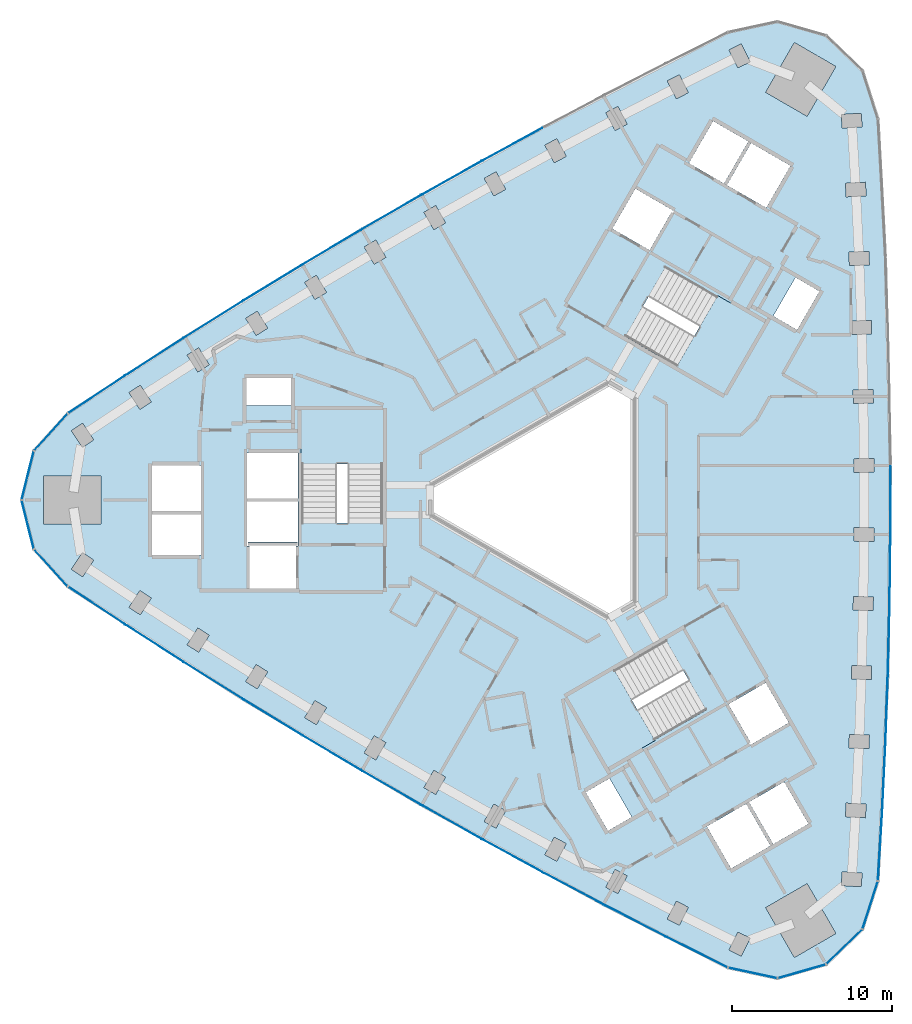
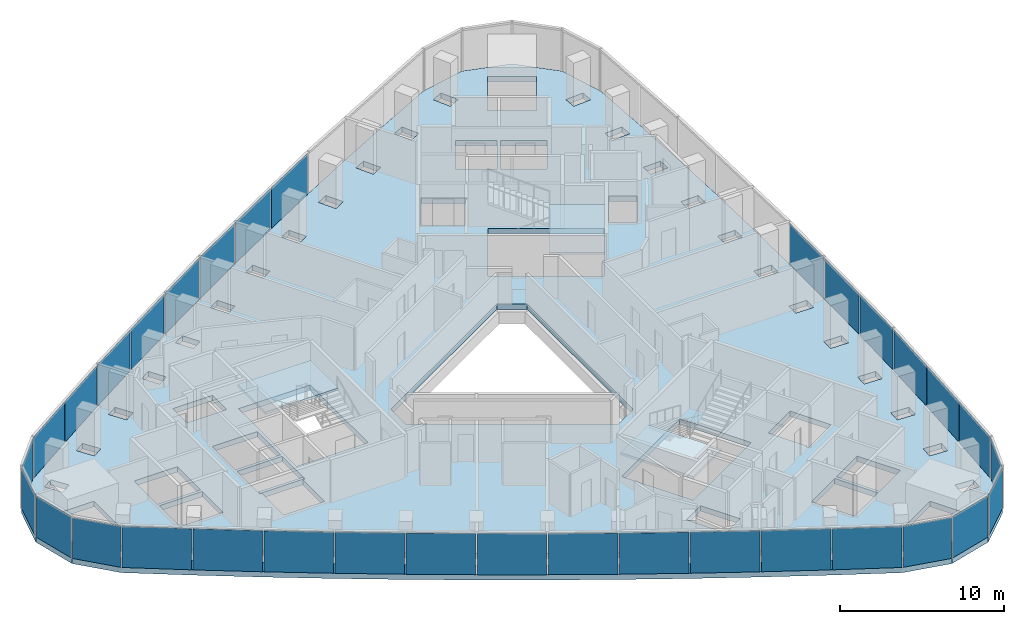
# One storey, part 6 of 13: 33 plates, 4 slabs, 6 elements without a shape of their own.
"""IFC4 building model written with IfcOpenShell, lengths in metres."""

from ifc_helpers import new_model, si_unit, direction, frame, origin, origin_2d, place, context, subcontext, project, spatial, polyline, rectangle, outline, extrude, material, layer, layer_set, type_object, element, aggregate, save


model = new_model("IFC4")

# Units and contexts
model_context = context("Model", 3, precision=1e-05, world=origin(), true_north=direction((0.0, 1.0)))
body_context = subcontext(model_context, "Body", "Model", "MODEL_VIEW")
ifc_project = project(units=[si_unit("LENGTHUNIT", "METRE"), si_unit("AREAUNIT", "SQUARE_METRE"), si_unit("VOLUMEUNIT", "CUBIC_METRE"), si_unit("PLANEANGLEUNIT", "RADIAN"), si_unit("MASSUNIT", "GRAM", prefix="KILO")], contexts=[model_context])

# Site, building, storey
site_placement = place(None, origin())
site = spatial("IfcSite", under=ifc_project, at=site_placement, CompositionType="ELEMENT")
building_placement = place(site_placement, origin())
building = spatial("IfcBuilding", under=site, at=building_placement, Name="Tamra Quay Hotel Tower", CompositionType="ELEMENT")
storey_placement = place(building_placement, frame((0.0, 0.0, 132.39990234375)))
storey = spatial("IfcBuildingStorey", under=building, at=storey_placement, Name="L32", CompositionType="ELEMENT", Elevation=132.39990234375)

# Stair, slab
ifc_material_1 = material(Name="Exit stair 2200 24 risers 150.0 going 342")
stair_type = type_object("IfcStairType", Name="Exit stair 2200 24 risers 150.0 going 342", PredefinedType="HALF_TURN_STAIR", material=ifc_material_1)
stair_1_placement = place(storey_placement, origin())
stair_1 = element("IfcStair", 1, at=stair_1_placement, inside=storey, type_object=stair_type, Name="L32 Exit stair ST3", PredefinedType="HALF_TURN_STAIR")
ifc_material_2 = material(Name="Concrete M70", Category="concrete")
ifc_layer_1 = layer(ifc_material_2, 0.175048828125)
ifc_layer_set_1 = layer_set([ifc_layer_1], Name="Concrete M70 stair landing 180")
slab_type_1 = type_object("IfcSlabType", Name="Concrete M70 stair landing 180", PredefinedType="LANDING", material=ifc_layer_set_1)
slab_1_placement = place(storey_placement, frame((0.0, 0.0, 1.625)))
slab_1 = element("IfcSlab", 2, at=slab_1_placement, type_object=slab_type_1, Name="ST3 landing 1", PredefinedType="LANDING", context=body_context, shape_type="SweptSolid", body=[
    extrude(outline(polyline([(-10.932373046875, 2.261962890625), (-10.932373046875, 5.679931640625), (-16.09130859375, 5.679931640625), (-16.09130859375, 2.261962890625), (-10.932373046875, 2.261962890625)])), origin(), (0.0, 0.0, 1.0), 0.175048828125),
])
aggregate(stair_1, [slab_1])

stair_2_placement = place(storey_placement, origin())
stair_2 = element("IfcStair", 3, at=stair_2_placement, inside=storey, type_object=stair_type, Name="L32 Exit stair ST1", PredefinedType="HALF_TURN_STAIR")
slab_2_placement = place(storey_placement, frame((0.0, 0.0, 1.625)))
slab_2 = element("IfcSlab", 4, at=slab_2_placement, type_object=slab_type_1, Name="ST1 landing 1", PredefinedType="LANDING", context=body_context, shape_type="SweptSolid", body=[
    extrude(outline(polyline([(7.425048828125, 8.336669921875), (10.385009765625, 6.627685546875), (12.964599609375, 11.095458984375), (10.00439453125, 12.804443359375), (7.425048828125, 8.336669921875)])), origin(), (0.0, 0.0, 1.0), 0.175048828125),
])
aggregate(stair_2, [slab_2])

stair_3_placement = place(storey_placement, origin())
stair_3 = element("IfcStair", 5, at=stair_3_placement, inside=storey, type_object=stair_type, Name="L32 Exit stair ST2", PredefinedType="HALF_TURN_STAIR")
slab_3_placement = place(storey_placement, frame((0.0, 0.0, 1.625)))
slab_3 = element("IfcSlab", 6, at=slab_3_placement, type_object=slab_type_1, Name="ST2 landing 1", PredefinedType="LANDING", context=body_context, shape_type="SweptSolid", body=[
    extrude(outline(polyline([(3.50732421875, -10.5986328125), (0.547119140625, -12.3076171875), (3.126708984375, -16.775390625), (6.086669921875, -15.06640625), (3.50732421875, -10.5986328125)])), origin(), (0.0, 0.0, 1.0), 0.175048828125),
])
aggregate(stair_3, [slab_3])

# Slab
ifc_material_3 = material(Name="Concrete M60", Category="concrete")
ifc_layer_2 = layer(ifc_material_3, 0.39990234375)
ifc_layer_set_2 = layer_set([ifc_layer_2], Name="FLOOR SLAB PT 400")
slab_type_2 = type_object("IfcSlabType", Name="FLOOR SLAB PT 400", PredefinedType="FLOOR", material=ifc_layer_set_2)
slab_4_placement = place(storey_placement, frame((0.0, 0.0, -0.39990234375)))
element("IfcSlab", 7, at=slab_4_placement, inside=storey, type_object=slab_type_2, Name="SLAB-L32", PredefinedType="FLOOR", context=body_context, shape_type="SweptSolid", body=[
    extrude(outline(polyline([(20.301025390625, 19.53076171875), (20.50830078125, 15.19384765625), (20.6640625, 10.85400390625), (20.767822265625, 6.5126953125), (20.81982421875, 2.17138671875), (20.81982421875, -2.17138671875), (20.767822265625, -6.5126953125), (20.6640625, -10.85400390625), (20.50830078125, -15.19384765625), (20.301025390625, -19.53076171875), (20.0419921875, -23.864990234375), (19.072265625, -26.883544921875), (16.794189453125, -29.088134765625), (13.74560546875, -29.958740234375), (10.646728515625, -29.28955078125), (6.763427734375, -27.3466796875), (2.904052734375, -25.35791015625), (-0.93212890625, -23.32275390625), (-4.74365234375, -21.24169921875), (-8.529541015625, -19.1162109375), (-12.290283203125, -16.94482421875), (-16.024169921875, -14.72900390625), (-19.73193359375, -12.468505859375), (-23.41259765625, -10.163818359375), (-27.064697265625, -7.81591796875), (-30.688720703125, -5.42431640625), (-32.81787109375, -3.0751953125), (-33.588134765625, 0.0), (-32.81787109375, 3.0751953125), (-30.688720703125, 5.42431640625), (-27.064697265625, 7.81591796875), (-23.41259765625, 10.163818359375), (-19.73193359375, 12.468505859375), (-16.024169921875, 14.72900390625), (-12.290283203125, 16.94482421875), (-8.529541015625, 19.1162109375), (-4.74365234375, 21.24169921875), (-0.93212890625, 23.32275390625), (2.904052734375, 25.35791015625), (6.763427734375, 27.3466796875), (10.646728515625, 29.28955078125), (13.74560546875, 29.958740234375), (16.794189453125, 29.088134765625), (19.072265625, 26.883544921875), (20.0419921875, 23.864990234375), (20.301025390625, 19.53076171875)]), holes=[polyline([(-12.1396484375, -15.846435546875), (-11.406005859375, -16.27587890625), (-10.7744140625, -15.197265625), (-11.5078125, -14.767578125), (-12.1396484375, -15.846435546875)]), polyline([(-15.216796875, -12.561279296875), (-15.86083984375, -13.632568359375), (-15.13232421875, -14.0703125), (-14.48828125, -12.9990234375), (-15.216796875, -12.561279296875)]), polyline([(-18.898193359375, -10.310791015625), (-19.55517578125, -11.3740234375), (-18.83203125, -11.82080078125), (-18.175048828125, -10.757568359375), (-18.898193359375, -10.310791015625)]), polyline([(-22.55224609375, -8.016357421875), (-23.222412109375, -9.071533203125), (-22.5048828125, -9.527099609375), (-21.834716796875, -8.471923828125), (-22.55224609375, -8.016357421875)]), polyline([(-26.179931640625, -5.678466796875), (-26.862060546875, -6.725830078125), (-26.149658203125, -7.189697265625), (-25.467529296875, -6.142333984375), (-26.179931640625, -5.678466796875)]), polyline([(-16.3173828125, -2.85498046875), (-19.4072265625, -2.85498046875), (-19.4072265625, -2.89306640625), (-19.307373046875, -2.89306640625), (-19.307373046875, -5.544921875), (-16.417236328125, -5.544921875), (-16.417236328125, -2.89306640625), (-16.3173828125, -2.89306640625), (-16.3173828125, -2.85498046875)]), polyline([(-29.77880859375, -3.297607421875), (-30.473388671875, -4.3369140625), (-29.7666015625, -4.80908203125), (-29.072021484375, -3.77001953125), (-29.77880859375, -3.297607421875)]), polyline([(-22.3671875, -0.905029296875), (-25.4072265625, -0.905029296875), (-25.4072265625, -3.445068359375), (-22.3671875, -3.445068359375), (-22.3671875, -0.905029296875)]), polyline([(-19.417236328125, -2.89306640625), (-19.417236328125, -2.64501953125), (-16.307373046875, -2.64501953125), (-16.307373046875, -2.89306640625), (-16.26708984375, -2.89306640625), (-16.26708984375, -0.10498046875), (-19.45751953125, -0.10498046875), (-19.45751953125, -2.89306640625), (-19.417236328125, -2.89306640625)]), polyline([(-28.6142578125, 1.5), (-32.214111328125, 1.5), (-32.214111328125, -1.5), (-28.6142578125, -1.5), (-28.6142578125, 1.5)]), polyline([(-25.4072265625, -0.695068359375), (-22.3671875, -0.695068359375), (-22.3671875, 2.14501953125), (-25.4072265625, 2.14501953125), (-25.4072265625, -0.695068359375)]), polyline([(-19.45751953125, 0.10498046875), (-16.26708984375, 0.10498046875), (-16.26708984375, 2.945068359375), (-19.45751953125, 2.945068359375), (-19.45751953125, 0.10498046875)]), polyline([(-16.036376953125, -1.455078125), (-10.9873046875, -1.455078125), (-10.9873046875, 5.625), (-16.036376953125, 5.625), (-16.036376953125, -1.455078125)]), polyline([(-29.072021484375, 3.77001953125), (-29.7666015625, 4.80908203125), (-30.473388671875, 4.3369140625), (-29.77880859375, 3.297607421875), (-29.072021484375, 3.77001953125)]), polyline([(-26.149658203125, 7.189697265625), (-26.862060546875, 6.725830078125), (-26.179931640625, 5.678466796875), (-25.467529296875, 6.142333984375), (-26.149658203125, 7.189697265625)]), polyline([(-16.71728515625, 7.64501953125), (-19.50732421875, 7.64501953125), (-19.50732421875, 5.9150390625), (-16.71728515625, 5.9150390625), (-16.71728515625, 7.64501953125)]), polyline([(-21.834716796875, 8.471923828125), (-22.5048828125, 9.527099609375), (-23.222412109375, 9.071533203125), (-22.55224609375, 8.016357421875), (-21.834716796875, 8.471923828125)]), polyline([(-18.175048828125, 10.757568359375), (-18.83203125, 11.82080078125), (-19.55517578125, 11.3740234375), (-18.898193359375, 10.310791015625), (-18.175048828125, 10.757568359375)]), polyline([(-14.48828125, 12.9990234375), (-15.13232421875, 14.0703125), (-15.86083984375, 13.632568359375), (-15.216796875, 12.561279296875), (-14.48828125, 12.9990234375)]), polyline([(7.414306640625, -25.126708984375), (6.848388671875, -26.2412109375), (7.606201171875, -26.626220703125), (8.17236328125, -25.51171875), (7.414306640625, -25.126708984375)]), polyline([(3.580322265625, -23.1455078125), (3.00146484375, -24.25341796875), (3.7548828125, -24.64697265625), (4.333740234375, -23.5390625), (3.580322265625, -23.1455078125)]), polyline([(-0.821044921875, -22.219482421875), (-0.072509765625, -22.622314453125), (0.519775390625, -21.521484375), (-0.228759765625, -21.118896484375), (-0.821044921875, -22.219482421875)]), polyline([(13.3056640625, -21.65576171875), (11.78564453125, -19.02294921875), (9.325927734375, -20.443115234375), (10.845947265625, -23.075927734375), (13.3056640625, -21.65576171875)]), polyline([(-4.01318359375, -19.046875), (-4.619140625, -20.14013671875), (-3.875732421875, -20.55224609375), (-3.269775390625, -19.458740234375), (-4.01318359375, -19.046875)]), polyline([(1.73779296875, -18.300048828125), (3.1328125, -20.71630859375), (4.631103515625, -19.851318359375), (3.236083984375, -17.43505859375), (1.73779296875, -18.300048828125)]), polyline([(-7.77392578125, -16.9296875), (-8.392333984375, -18.01611328125), (-7.653564453125, -18.436279296875), (-7.035400390625, -17.35009765625), (-7.77392578125, -16.9296875)]), polyline([(9.2783203125, -13.160400390625), (6.75390625, -8.78759765625), (0.622314453125, -12.32763671875), (3.146728515625, -16.7001953125), (9.2783203125, -13.160400390625)]), polyline([(3.199951171875, 7.39013671875), (-8.0, 0.923828125), (-8.0, -0.923828125), (3.199951171875, -7.39013671875), (4.800048828125, -6.46630859375), (4.800048828125, 6.46630859375), (3.199951171875, 7.39013671875)]), polyline([(4.2333984375, 10.242919921875), (10.364990234375, 6.702880859375), (12.889404296875, 11.075439453125), (6.758056640625, 14.615478515625), (4.2333984375, 10.242919921875)]), polyline([(-10.7744140625, 15.197265625), (-11.406005859375, 16.27587890625), (-12.1396484375, 15.846435546875), (-11.5078125, 14.767578125), (-10.7744140625, 15.197265625)]), polyline([(5.736083984375, 15.645263671875), (7.111083984375, 18.02685546875), (7.19775390625, 17.976806640625), (7.267578125, 18.09814453125), (4.8515625, 19.4931640625), (3.406494140625, 16.990234375), (5.736083984375, 15.645263671875)]), polyline([(-7.035400390625, 17.35009765625), (-7.653564453125, 18.436279296875), (-8.392333984375, 18.01611328125), (-7.77392578125, 16.9296875), (-7.035400390625, 17.35009765625)]), polyline([(-3.269775390625, 19.458740234375), (-3.875732421875, 20.55224609375), (-4.619140625, 20.14013671875), (-4.01318359375, 19.046875), (-3.269775390625, 19.458740234375)]), polyline([(8.2001953125, 21.093017578125), (10.39990234375, 19.822998046875), (11.919921875, 22.455810546875), (9.72021484375, 23.725830078125), (8.2001953125, 21.093017578125)]), polyline([(0.519775390625, 21.521484375), (-0.072509765625, 22.622314453125), (-0.821044921875, 22.219482421875), (-0.228759765625, 21.118896484375), (0.519775390625, 21.521484375)]), polyline([(3.7548828125, 24.64697265625), (3.00146484375, 24.25341796875), (3.580322265625, 23.1455078125), (4.333740234375, 23.5390625), (3.7548828125, 24.64697265625)]), polyline([(8.17236328125, 25.51171875), (7.606201171875, 26.626220703125), (6.848388671875, 26.2412109375), (7.414306640625, 25.126708984375), (8.17236328125, 25.51171875)]), polyline([(12.03369140625, 27.43798828125), (11.480712890625, 28.55908203125), (10.718505859375, 28.18310546875), (11.271240234375, 27.06201171875), (12.03369140625, 27.43798828125)]), polyline([(11.271240234375, -27.06201171875), (10.718505859375, -28.18310546875), (11.480712890625, -28.55908203125), (12.03369140625, -27.43798828125), (11.271240234375, -27.06201171875)]), polyline([(13.008056640625, -25.53076171875), (14.80810546875, -28.648193359375), (17.406005859375, -27.148193359375), (15.606201171875, -24.03076171875), (13.008056640625, -25.53076171875)]), polyline([(17.7451171875, -24.140380859375), (18.99267578125, -24.22216796875), (19.048095703125, -23.3740234375), (17.80078125, -23.292236328125), (17.7451171875, -24.140380859375)]), polyline([(14.1669921875, -17.648193359375), (11.96728515625, -18.91796875), (13.487548828125, -21.55078125), (15.68701171875, -20.281005859375), (14.1669921875, -17.648193359375)]), polyline([(19.255859375, -19.900146484375), (19.301513671875, -19.051513671875), (18.05322265625, -18.984375), (18.007568359375, -19.833251953125), (19.255859375, -19.900146484375)]), polyline([(18.218505859375, -15.5224609375), (19.46728515625, -15.5751953125), (19.50341796875, -14.72607421875), (18.25439453125, -14.67333984375), (18.218505859375, -15.5224609375)]), polyline([(10.68115234375, -12.790283203125), (12.05615234375, -15.171875), (11.969482421875, -15.2216796875), (12.03955078125, -15.343017578125), (14.455810546875, -13.947998046875), (13.0107421875, -11.4453125), (10.68115234375, -12.790283203125)]), polyline([(18.37841796875, -11.2109375), (19.627685546875, -11.248291015625), (19.6533203125, -10.398681640625), (18.40380859375, -10.361328125), (18.37841796875, -11.2109375)]), polyline([(18.48681640625, -6.897705078125), (19.736572265625, -6.919677734375), (19.75146484375, -6.06982421875), (18.501708984375, -6.0478515625), (18.48681640625, -6.897705078125)]), polyline([(18.543212890625, -2.582275390625), (19.793212890625, -2.590087890625), (19.79833984375, -1.739990234375), (18.54833984375, -1.732421875), (18.543212890625, -2.582275390625)]), polyline([(18.54833984375, 1.732421875), (19.79833984375, 1.739990234375), (19.793212890625, 2.590087890625), (18.543212890625, 2.582275390625), (18.54833984375, 1.732421875)]), polyline([(18.501708984375, 6.0478515625), (19.75146484375, 6.06982421875), (19.736572265625, 6.919677734375), (18.48681640625, 6.897705078125), (18.501708984375, 6.0478515625)]), polyline([(18.40380859375, 10.361328125), (19.6533203125, 10.398681640625), (19.627685546875, 11.248291015625), (18.37841796875, 11.2109375), (18.40380859375, 10.361328125)]), polyline([(14.9794921875, 10.655029296875), (16.37451171875, 13.0712890625), (14.876220703125, 13.936279296875), (13.481201171875, 11.52001953125), (14.9794921875, 10.655029296875)]), polyline([(18.25439453125, 14.67333984375), (19.50341796875, 14.72607421875), (19.46728515625, 15.5751953125), (18.218505859375, 15.5224609375), (18.25439453125, 14.67333984375)]), polyline([(18.05322265625, 18.984375), (19.301513671875, 19.051513671875), (19.255859375, 19.900146484375), (18.007568359375, 19.833251953125), (18.05322265625, 18.984375)]), polyline([(12.101806640625, 22.350830078125), (10.58154296875, 19.718017578125), (13.041259765625, 18.298095703125), (14.561279296875, 20.930908203125), (12.101806640625, 22.350830078125)]), polyline([(17.80078125, 23.292236328125), (19.048095703125, 23.3740234375), (18.99267578125, 24.22216796875), (17.7451171875, 24.140380859375), (17.80078125, 23.292236328125)]), polyline([(15.606201171875, 24.03076171875), (17.406005859375, 27.148193359375), (14.80810546875, 28.648193359375), (13.008056640625, 25.53076171875), (15.606201171875, 24.03076171875)])]), origin(), (0.0, 0.0, 1.0), 0.39990234375),
])

# Curtain wall, plates
ifc_material_4 = material(Name="Aluminium 6063 anodised dark grey", Category="aluminium")
curtain_wall_type_1 = type_object("IfcCurtainWallType", Name="CW1 CURTAIN WALL", PredefinedType="NOTDEFINED", material=ifc_material_4)
curtain_wall_1_placement = place(storey_placement, origin())
curtain_wall_1 = element("IfcCurtainWall", 8, at=curtain_wall_1_placement, inside=storey, type_object=curtain_wall_type_1, Name="CW1 east face L32", PredefinedType="NOTDEFINED")
ifc_material_5 = material(Name="Glass clear laminated low-iron", Category="glass")
ifc_layer_3 = layer(ifc_material_5, 0.031982421875)
ifc_layer_set_3 = layer_set([ifc_layer_3], Name="GLASS PANEL CW1 Z3")
plate_type_1 = type_object("IfcPlateType", Name="GLASS PANEL CW1 Z3", PredefinedType="CURTAIN_PANEL", material=ifc_layer_set_3)
plate_1_placement = place(storey_placement, frame((20.171630859375, -21.697998046875, 0.0), z_axis=(0.0, 0.0, 1.0), x_axis=(0.05964191564, 0.998219836458, 0.0)))
plate_1 = element("IfcPlate", 9, at=plate_1_placement, type_object=plate_type_1, Name="CW1 glass L32.E.1", PredefinedType="CURTAIN_PANEL", context=body_context, shape_type="SweptSolid", body=[
    extrude(rectangle(XDim=4.2421875, YDim=0.031982421875, at=origin_2d()), origin(), (0.0, 0.0, 1.0), 3.06005859375),
])
plate_2_placement = place(storey_placement, frame((20.40478515625, -17.3623046875, 0.0), z_axis=(0.0, 0.0, 1.0), x_axis=(0.04774710654, 0.998859456489, 0.0)))
plate_2 = element("IfcPlate", 10, at=plate_2_placement, type_object=plate_type_1, Name="CW1 glass L32.E.2", PredefinedType="CURTAIN_PANEL", context=body_context, shape_type="SweptSolid", body=[
    extrude(rectangle(XDim=4.24169921875, YDim=0.031982421875, at=origin_2d()), origin(), (0.0, 0.0, 1.0), 3.06005859375),
])
plate_3_placement = place(storey_placement, frame((20.586181640625, -13.02392578125, 0.0), z_axis=(0.0, 0.0, 1.0), x_axis=(0.03584493651, 0.999357363773, 0.0)))
plate_3 = element("IfcPlate", 11, at=plate_3_placement, type_object=plate_type_1, Name="CW1 glass L32.E.3", PredefinedType="CURTAIN_PANEL", context=body_context, shape_type="SweptSolid", body=[
    extrude(rectangle(XDim=4.24267578125, YDim=0.031982421875, at=origin_2d()), origin(), (0.0, 0.0, 1.0), 3.06005859375),
])
plate_4_placement = place(storey_placement, frame((20.716064453125, -8.683349609375, 0.0), z_axis=(0.0, 0.0, 1.0), x_axis=(0.023896183128, 0.999714445445, 0.0)))
plate_4 = element("IfcPlate", 12, at=plate_4_placement, type_object=plate_type_1, Name="CW1 glass L32.E.4", PredefinedType="CURTAIN_PANEL", context=body_context, shape_type="SweptSolid", body=[
    extrude(rectangle(XDim=4.24267578125, YDim=0.031982421875, at=origin_2d()), origin(), (0.0, 0.0, 1.0), 3.06005859375),
])
plate_5_placement = place(storey_placement, frame((20.793701171875, -4.342041015625, 0.0), z_axis=(0.0, 0.0, 1.0), x_axis=(0.011957026787, 0.9999285122, 0.0)))
plate_5 = element("IfcPlate", 13, at=plate_5_placement, type_object=plate_type_1, Name="CW1 glass L32.E.5", PredefinedType="CURTAIN_PANEL", context=body_context, shape_type="SweptSolid", body=[
    extrude(rectangle(XDim=4.24169921875, YDim=0.031982421875, at=origin_2d()), origin(), (0.0, 0.0, 1.0), 3.06005859375),
])
plate_6_placement = place(storey_placement, frame((20.81982421875, 0.0, 0.0), z_axis=(0.0, 0.0, 1.0), x_axis=(0.0, 1.0, 0.0)))
plate_6 = element("IfcPlate", 14, at=plate_6_placement, type_object=plate_type_1, Name="CW1 glass L32.E.6", PredefinedType="CURTAIN_PANEL", context=body_context, shape_type="SweptSolid", body=[
    extrude(rectangle(XDim=4.24267578125, YDim=0.031982421875, at=origin_2d()), origin(), (0.0, 0.0, 1.0), 3.06005859375),
])
aggregate(curtain_wall_1, [plate_1, plate_2, plate_3, plate_4, plate_5, plate_6])

curtain_wall_type_2 = type_object("IfcCurtainWallType", Name="CW2 CURTAIN WALL", PredefinedType="NOTDEFINED", material=ifc_material_4)
curtain_wall_2_placement = place(storey_placement, origin())
curtain_wall_2 = element("IfcCurtainWall", 15, at=curtain_wall_2_placement, inside=storey, type_object=curtain_wall_type_2, Name="CW2 north-west face L32", PredefinedType="NOTDEFINED")
ifc_layer_4 = layer(ifc_material_5, 0.031982421875)
ifc_layer_set_4 = layer_set([ifc_layer_4], Name="GLASS PANEL CW2 Z3")
plate_type_2 = type_object("IfcPlateType", Name="GLASS PANEL CW2 Z3", PredefinedType="CURTAIN_PANEL", material=ifc_layer_set_4)
plate_7_placement = place(storey_placement, frame((-2.837890625, 22.2822265625, 0.0), z_axis=(0.0, 0.0, 1.0), x_axis=(-0.87772619785, -0.47916252108, 0.0)))
plate_7 = element("IfcPlate", 16, at=plate_7_placement, type_object=plate_type_2, Name="CW2 glass L32.NW.4", PredefinedType="CURTAIN_PANEL", context=body_context, shape_type="SweptSolid", body=[
    extrude(rectangle(XDim=4.24267578125, YDim=0.031982421875, at=origin_2d()), origin(), (0.0, 0.0, 1.0), 3.06005859375),
])
plate_8_placement = place(storey_placement, frame((-6.636474609375, 20.178955078125, 0.0), z_axis=(0.0, 0.0, 1.0), x_axis=(-0.871942006927, -0.489609167149, 0.0)))
plate_8 = element("IfcPlate", 17, at=plate_8_placement, type_object=plate_type_2, Name="CW2 glass L32.NW.5", PredefinedType="CURTAIN_PANEL", context=body_context, shape_type="SweptSolid", body=[
    extrude(rectangle(XDim=4.24169921875, YDim=0.031982421875, at=origin_2d()), origin(), (0.0, 0.0, 1.0), 3.06005859375),
])
plate_9_placement = place(storey_placement, frame((-10.409912109375, 18.030517578125, 0.0), z_axis=(0.0, 0.0, 1.0), x_axis=(-0.866025403784, -0.5, 0.0)))
plate_9 = element("IfcPlate", 18, at=plate_9_placement, type_object=plate_type_2, Name="CW2 glass L32.NW.6", PredefinedType="CURTAIN_PANEL", context=body_context, shape_type="SweptSolid", body=[
    extrude(rectangle(XDim=4.24267578125, YDim=0.031982421875, at=origin_2d()), origin(), (0.0, 0.0, 1.0), 3.06005859375),
])
plate_10_placement = place(storey_placement, frame((-14.1572265625, 15.8369140625, 0.0), z_axis=(0.0, 0.0, 1.0), x_axis=(-0.85998498014, -0.510319345051, 0.0)))
plate_10 = element("IfcPlate", 19, at=plate_10_placement, type_object=plate_type_2, Name="CW2 glass L32.NW.7", PredefinedType="CURTAIN_PANEL", context=body_context, shape_type="SweptSolid", body=[
    extrude(rectangle(XDim=4.24169921875, YDim=0.031982421875, at=origin_2d()), origin(), (0.0, 0.0, 1.0), 3.06005859375),
])
plate_11_placement = place(storey_placement, frame((-17.8779296875, 13.598876953125, 0.0), z_axis=(0.0, 0.0, 1.0), x_axis=(-0.853830014722, -0.520551924365, 0.0)))
plate_11 = element("IfcPlate", 20, at=plate_11_placement, type_object=plate_type_2, Name="CW2 glass L32.NW.8", PredefinedType="CURTAIN_PANEL", context=body_context, shape_type="SweptSolid", body=[
    extrude(rectangle(XDim=4.24267578125, YDim=0.031982421875, at=origin_2d()), origin(), (0.0, 0.0, 1.0), 3.06005859375),
])
plate_12_placement = place(storey_placement, frame((-21.572265625, 11.316162109375, 0.0), z_axis=(0.0, 0.0, 1.0), x_axis=(-0.847546396231, -0.530721307501, 0.0)))
plate_12 = element("IfcPlate", 21, at=plate_12_placement, type_object=plate_type_2, Name="CW2 glass L32.NW.9", PredefinedType="CURTAIN_PANEL", context=body_context, shape_type="SweptSolid", body=[
    extrude(rectangle(XDim=4.24267578125, YDim=0.031982421875, at=origin_2d()), origin(), (0.0, 0.0, 1.0), 3.06005859375),
])
plate_13_placement = place(storey_placement, frame((-25.238525390625, 8.989990234375, 0.0), z_axis=(0.0, 0.0, 1.0), x_axis=(-0.841164110859, -0.540779935465, 0.0)))
plate_13 = element("IfcPlate", 22, at=plate_13_placement, type_object=plate_type_2, Name="CW2 glass L32.NW.10", PredefinedType="CURTAIN_PANEL", context=body_context, shape_type="SweptSolid", body=[
    extrude(rectangle(XDim=4.24169921875, YDim=0.031982421875, at=origin_2d()), origin(), (0.0, 0.0, 1.0), 3.06005859375),
])
plate_14_placement = place(storey_placement, frame((-28.876708984375, 6.6201171875, 0.0), z_axis=(0.0, 0.0, 1.0), x_axis=(-0.834662779115, -0.550761332303, 0.0)))
plate_14 = element("IfcPlate", 23, at=plate_14_placement, type_object=plate_type_2, Name="CW2 glass L32.NW.11", PredefinedType="CURTAIN_PANEL", context=body_context, shape_type="SweptSolid", body=[
    extrude(rectangle(XDim=4.2421875, YDim=0.031982421875, at=origin_2d()), origin(), (0.0, 0.0, 1.0), 3.06005859375),
])
plate_15_placement = place(storey_placement, frame((-31.75341796875, 4.25, 0.0), z_axis=(0.0, 0.0, 1.0), x_axis=(-0.671549804177, -0.740959418936, 0.0)))
plate_15 = element("IfcPlate", 24, at=plate_15_placement, type_object=plate_type_2, Name="CW2 glass L32.NW.12", PredefinedType="CURTAIN_PANEL", context=body_context, shape_type="SweptSolid", body=[
    extrude(rectangle(XDim=3.0703125, YDim=0.031982421875, at=origin_2d()), origin(), (0.0, 0.0, 1.0), 3.06005859375),
])
plate_16_placement = place(storey_placement, frame((-33.203125, 1.53759765625, 0.0), z_axis=(0.0, 0.0, 1.0), x_axis=(-0.242976186667, -0.970032253439, 0.0)))
plate_16 = element("IfcPlate", 25, at=plate_16_placement, type_object=plate_type_2, Name="CW2 glass L32.NW.13", PredefinedType="CURTAIN_PANEL", context=body_context, shape_type="SweptSolid", body=[
    extrude(rectangle(XDim=3.0703125, YDim=0.031982421875, at=origin_2d()), origin(), (0.0, 0.0, 1.0), 3.06005859375),
])
plate_17_placement = place(storey_placement, frame((-33.203125, -1.53759765625, 0.0), z_axis=(0.0, 0.0, 1.0), x_axis=(0.242976186667, -0.970032253439, 0.0)))
plate_17 = element("IfcPlate", 26, at=plate_17_placement, type_object=plate_type_2, Name="CW2 glass L32.NW.14", PredefinedType="CURTAIN_PANEL", context=body_context, shape_type="SweptSolid", body=[
    extrude(rectangle(XDim=3.0703125, YDim=0.031982421875, at=origin_2d()), origin(), (0.0, 0.0, 1.0), 3.06005859375),
])
plate_18_placement = place(storey_placement, frame((-31.75341796875, -4.25, 0.0), z_axis=(0.0, 0.0, 1.0), x_axis=(0.671549804177, -0.740959418936, 0.0)))
plate_18 = element("IfcPlate", 27, at=plate_18_placement, type_object=plate_type_2, Name="CW2 glass L32.NW.15", PredefinedType="CURTAIN_PANEL", context=body_context, shape_type="SweptSolid", body=[
    extrude(rectangle(XDim=3.0703125, YDim=0.031982421875, at=origin_2d()), origin(), (0.0, 0.0, 1.0), 3.06005859375),
])
aggregate(curtain_wall_2, [plate_7, plate_8, plate_9, plate_10, plate_11, plate_12, plate_13, plate_14, plate_15, plate_16, plate_17, plate_18])

curtain_wall_type_3 = type_object("IfcCurtainWallType", Name="CW3 CURTAIN WALL", PredefinedType="NOTDEFINED", material=ifc_material_4)
curtain_wall_3_placement = place(storey_placement, origin())
curtain_wall_3 = element("IfcCurtainWall", 28, at=curtain_wall_3_placement, inside=storey, type_object=curtain_wall_type_3, Name="CW3 south-west face L32", PredefinedType="NOTDEFINED")
ifc_layer_5 = layer(ifc_material_5, 0.031982421875)
ifc_layer_set_5 = layer_set([ifc_layer_5], Name="GLASS PANEL CW3 Z3")
plate_type_3 = type_object("IfcPlateType", Name="GLASS PANEL CW3 Z3", PredefinedType="CURTAIN_PANEL", material=ifc_layer_set_5)
plate_19_placement = place(storey_placement, frame((-28.876708984375, -6.6201171875, 0.0), z_axis=(0.0, 0.0, 1.0), x_axis=(0.834662779115, -0.550761332303, 0.0)))
plate_19 = element("IfcPlate", 29, at=plate_19_placement, type_object=plate_type_3, Name="CW3 glass L32.SW.1", PredefinedType="CURTAIN_PANEL", context=body_context, shape_type="SweptSolid", body=[
    extrude(rectangle(XDim=4.2421875, YDim=0.031982421875, at=origin_2d()), origin(), (0.0, 0.0, 1.0), 3.06005859375),
])
plate_20_placement = place(storey_placement, frame((-25.238525390625, -8.989990234375, 0.0), z_axis=(0.0, 0.0, 1.0), x_axis=(0.841164110859, -0.540779935465, 0.0)))
plate_20 = element("IfcPlate", 30, at=plate_20_placement, type_object=plate_type_3, Name="CW3 glass L32.SW.2", PredefinedType="CURTAIN_PANEL", context=body_context, shape_type="SweptSolid", body=[
    extrude(rectangle(XDim=4.24169921875, YDim=0.031982421875, at=origin_2d()), origin(), (0.0, 0.0, 1.0), 3.06005859375),
])
plate_21_placement = place(storey_placement, frame((-21.572265625, -11.316162109375, 0.0), z_axis=(0.0, 0.0, 1.0), x_axis=(0.847546396231, -0.530721307501, 0.0)))
plate_21 = element("IfcPlate", 31, at=plate_21_placement, type_object=plate_type_3, Name="CW3 glass L32.SW.3", PredefinedType="CURTAIN_PANEL", context=body_context, shape_type="SweptSolid", body=[
    extrude(rectangle(XDim=4.24267578125, YDim=0.031982421875, at=origin_2d()), origin(), (0.0, 0.0, 1.0), 3.06005859375),
])
plate_22_placement = place(storey_placement, frame((-17.8779296875, -13.598876953125, 0.0), z_axis=(0.0, 0.0, 1.0), x_axis=(0.853830014722, -0.520551924365, 0.0)))
plate_22 = element("IfcPlate", 32, at=plate_22_placement, type_object=plate_type_3, Name="CW3 glass L32.SW.4", PredefinedType="CURTAIN_PANEL", context=body_context, shape_type="SweptSolid", body=[
    extrude(rectangle(XDim=4.24267578125, YDim=0.031982421875, at=origin_2d()), origin(), (0.0, 0.0, 1.0), 3.06005859375),
])
plate_23_placement = place(storey_placement, frame((-14.1572265625, -15.8369140625, 0.0), z_axis=(0.0, 0.0, 1.0), x_axis=(0.85998498014, -0.510319345051, 0.0)))
plate_23 = element("IfcPlate", 33, at=plate_23_placement, type_object=plate_type_3, Name="CW3 glass L32.SW.5", PredefinedType="CURTAIN_PANEL", context=body_context, shape_type="SweptSolid", body=[
    extrude(rectangle(XDim=4.24169921875, YDim=0.031982421875, at=origin_2d()), origin(), (0.0, 0.0, 1.0), 3.06005859375),
])
plate_24_placement = place(storey_placement, frame((-10.409912109375, -18.030517578125, 0.0), z_axis=(0.0, 0.0, 1.0), x_axis=(0.866025403784, -0.5, 0.0)))
plate_24 = element("IfcPlate", 34, at=plate_24_placement, type_object=plate_type_3, Name="CW3 glass L32.SW.6", PredefinedType="CURTAIN_PANEL", context=body_context, shape_type="SweptSolid", body=[
    extrude(rectangle(XDim=4.24267578125, YDim=0.031982421875, at=origin_2d()), origin(), (0.0, 0.0, 1.0), 3.06005859375),
])
plate_25_placement = place(storey_placement, frame((-6.636474609375, -20.178955078125, 0.0), z_axis=(0.0, 0.0, 1.0), x_axis=(0.871942006927, -0.489609167149, 0.0)))
plate_25 = element("IfcPlate", 35, at=plate_25_placement, type_object=plate_type_3, Name="CW3 glass L32.SW.7", PredefinedType="CURTAIN_PANEL", context=body_context, shape_type="SweptSolid", body=[
    extrude(rectangle(XDim=4.24169921875, YDim=0.031982421875, at=origin_2d()), origin(), (0.0, 0.0, 1.0), 3.06005859375),
])
plate_26_placement = place(storey_placement, frame((-2.837890625, -22.2822265625, 0.0), z_axis=(0.0, 0.0, 1.0), x_axis=(0.87772619785, -0.47916252108, 0.0)))
plate_26 = element("IfcPlate", 36, at=plate_26_placement, type_object=plate_type_3, Name="CW3 glass L32.SW.8", PredefinedType="CURTAIN_PANEL", context=body_context, shape_type="SweptSolid", body=[
    extrude(rectangle(XDim=4.24267578125, YDim=0.031982421875, at=origin_2d()), origin(), (0.0, 0.0, 1.0), 3.06005859375),
])
plate_27_placement = place(storey_placement, frame((0.986083984375, -24.34033203125, 0.0), z_axis=(0.0, 0.0, 1.0), x_axis=(0.883391332741, -0.468636056272, 0.0)))
plate_27 = element("IfcPlate", 37, at=plate_27_placement, type_object=plate_type_3, Name="CW3 glass L32.SW.9", PredefinedType="CURTAIN_PANEL", context=body_context, shape_type="SweptSolid", body=[
    extrude(rectangle(XDim=4.24267578125, YDim=0.031982421875, at=origin_2d()), origin(), (0.0, 0.0, 1.0), 3.06005859375),
])
plate_28_placement = place(storey_placement, frame((4.833740234375, -26.352294921875, 0.0), z_axis=(0.0, 0.0, 1.0), x_axis=(0.8889112174, -0.458079521023, 0.0)))
plate_28 = element("IfcPlate", 38, at=plate_28_placement, type_object=plate_type_3, Name="CW3 glass L32.SW.10", PredefinedType="CURTAIN_PANEL", context=body_context, shape_type="SweptSolid", body=[
    extrude(rectangle(XDim=4.24169921875, YDim=0.031982421875, at=origin_2d()), origin(), (0.0, 0.0, 1.0), 3.06005859375),
])
plate_29_placement = place(storey_placement, frame((8.705078125, -28.318115234375, 0.0), z_axis=(0.0, 0.0, 1.0), x_axis=(0.894304694754, -0.447458504155, 0.0)))
plate_29 = element("IfcPlate", 39, at=plate_29_placement, type_object=plate_type_3, Name="CW3 glass L32.SW.11", PredefinedType="CURTAIN_PANEL", context=body_context, shape_type="SweptSolid", body=[
    extrude(rectangle(XDim=4.2421875, YDim=0.031982421875, at=origin_2d()), origin(), (0.0, 0.0, 1.0), 3.06005859375),
])
plate_30_placement = place(storey_placement, frame((12.196044921875, -29.624267578125, 0.0), z_axis=(0.0, 0.0, 1.0), x_axis=(0.97746458206, -0.211099480856, 0.0)))
plate_30 = element("IfcPlate", 40, at=plate_30_placement, type_object=plate_type_3, Name="CW3 glass L32.SW.12", PredefinedType="CURTAIN_PANEL", context=body_context, shape_type="SweptSolid", body=[
    extrude(rectangle(XDim=3.0703125, YDim=0.031982421875, at=origin_2d()), origin(), (0.0, 0.0, 1.0), 3.06005859375),
])
plate_31_placement = place(storey_placement, frame((15.269775390625, -29.5234375, 0.0), z_axis=(0.0, 0.0, 1.0), x_axis=(0.961560667302, 0.274592576551, 0.0)))
plate_31 = element("IfcPlate", 41, at=plate_31_placement, type_object=plate_type_3, Name="CW3 glass L32.SW.13", PredefinedType="CURTAIN_PANEL", context=body_context, shape_type="SweptSolid", body=[
    extrude(rectangle(XDim=3.0703125, YDim=0.031982421875, at=origin_2d()), origin(), (0.0, 0.0, 1.0), 3.06005859375),
])
plate_32_placement = place(storey_placement, frame((17.93310546875, -27.98583984375, 0.0), z_axis=(0.0, 0.0, 1.0), x_axis=(0.718584480635, 0.695439676888, 0.0)))
plate_32 = element("IfcPlate", 42, at=plate_32_placement, type_object=plate_type_3, Name="CW3 glass L32.SW.14", PredefinedType="CURTAIN_PANEL", context=body_context, shape_type="SweptSolid", body=[
    extrude(rectangle(XDim=3.0703125, YDim=0.031982421875, at=origin_2d()), origin(), (0.0, 0.0, 1.0), 3.06005859375),
])
plate_33_placement = place(storey_placement, frame((19.55712890625, -25.374267578125, 0.0), z_axis=(0.0, 0.0, 1.0), x_axis=(0.305914777883, 0.952058899792, 0.0)))
plate_33 = element("IfcPlate", 43, at=plate_33_placement, type_object=plate_type_3, Name="CW3 glass L32.SW.15", PredefinedType="CURTAIN_PANEL", context=body_context, shape_type="SweptSolid", body=[
    extrude(rectangle(XDim=3.0703125, YDim=0.031982421875, at=origin_2d()), origin(), (0.0, 0.0, 1.0), 3.06005859375),
])
aggregate(curtain_wall_3, [plate_19, plate_20, plate_21, plate_22, plate_23, plate_24, plate_25, plate_26, plate_27, plate_28, plate_29, plate_30, plate_31, plate_32, plate_33])

save(model, "model.ifc")
